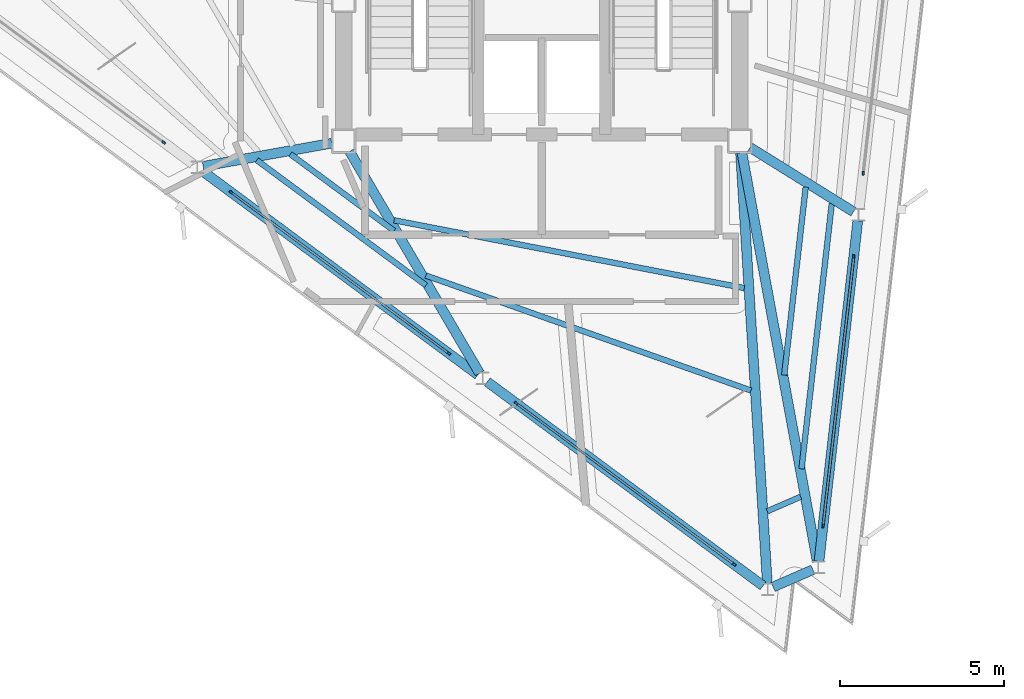
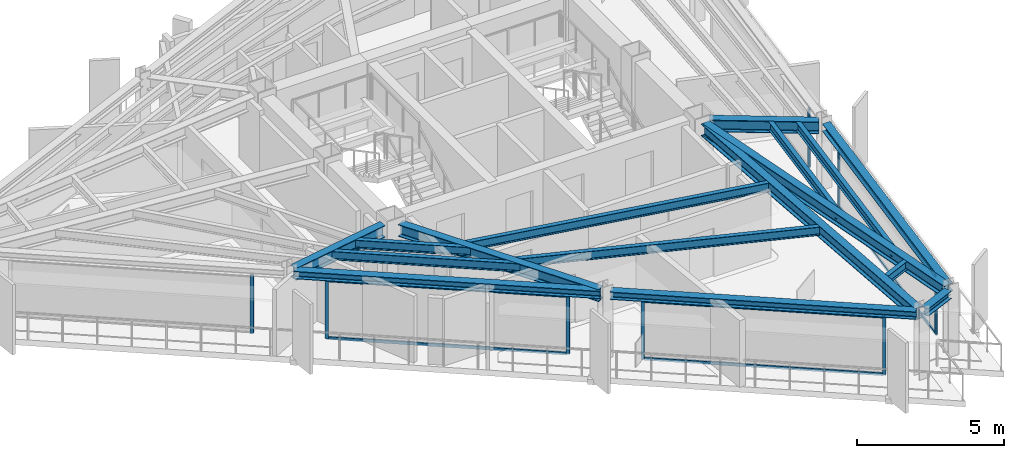
# One storey, part 2 of 10: 16 beams, 14 members, 5 elements without a shape of their own.
"""IFC4 building model written with IfcOpenShell, lengths in metres."""

from ifc_helpers import new_model, si_unit, direction, frame, origin, origin_2d, place, context, subcontext, project, spatial, rectangle, i_section, extrude, material, layer, layer_set, material_profile, profile_set, type_object, element, aggregate, save


model = new_model("IFC4")

# Units and contexts
model_context = context("Model", 3, precision=1e-05, world=origin(), true_north=direction((0.0, 1.0)))
body_context = subcontext(model_context, "Body", "Model", "MODEL_VIEW")
ifc_project = project(units=[si_unit("LENGTHUNIT", "METRE"), si_unit("AREAUNIT", "SQUARE_METRE"), si_unit("VOLUMEUNIT", "CUBIC_METRE"), si_unit("PLANEANGLEUNIT", "RADIAN"), si_unit("MASSUNIT", "GRAM", prefix="KILO")], contexts=[model_context])

# Site, building, storey
site_placement = place(None, origin())
site = spatial("IfcSite", under=ifc_project, at=site_placement, CompositionType="ELEMENT")
building_placement = place(site_placement, origin())
building = spatial("IfcBuilding", under=site, at=building_placement, Name="Rocaltana Carrier Exchange", CompositionType="ELEMENT")
storey_placement = place(building_placement, frame((0.0, 0.0, 224.0)))
storey = spatial("IfcBuildingStorey", under=building, at=storey_placement, Name="L71", CompositionType="ELEMENT", Elevation=224.0)

# Curtain wall, members
ifc_material_1 = material(Name="Aluminium 6063-T6", Category="aluminium")
ifc_layer = layer(ifc_material_1, 0.1201171875)
ifc_layer_set = layer_set([ifc_layer], Name="Aluminium 6063-T6")
curtain_wall_type = type_object("IfcCurtainWallType", Name="High-Altitude Thermal Curtain Wall CW-05", PredefinedType="NOTDEFINED", material=ifc_layer_set)
curtain_wall_1_placement = place(storey_placement, origin())
curtain_wall_1 = element("IfcCurtainWall", 1, at=curtain_wall_1_placement, inside=storey, type_object=curtain_wall_type, Name="L71 CW-05 Run CW-L71-F1S1", PredefinedType="NOTDEFINED")
ifc_material_2 = material(Name="Aluminium 6063-T6", Category="aluminium")
ifc_material_profile_1 = material_profile(ifc_material_2, rectangle(XDim=0.06005859375, YDim=0.1201171875, at=origin_2d()), Name="AL-60X120")
ifc_profile_set_1 = profile_set([ifc_material_profile_1], Name="Aluminium 6063-T6")
member_type_1 = type_object("IfcMemberType", Name="CW-05 Mullion AL-60X120", PredefinedType="MULLION", material=ifc_profile_set_1)
member_1_placement = place(storey_placement, frame((8.593505859375, -16.0458984375, 0.0), z_axis=(0.0, 0.0, 1.0), x_axis=(-0.993571216652, 0.113208822277, 0.0)))
member_1 = element("IfcMember", 2, at=member_1_placement, type_object=member_type_1, Name="CW-05 mullion 1", PredefinedType="MULLION", context=body_context, shape_type="SweptSolid", body=[
    extrude(rectangle(XDim=0.06005859375, YDim=0.1201171875, at=origin_2d()), origin(), (0.0, 0.0, 1.0), 2.447998046875),
])
member_2_placement = place(storey_placement, frame((9.530029296875, -7.825927734375, 0.0), z_axis=(0.0, 0.0, 1.0), x_axis=(-0.993571216652, 0.113208822277, 0.0)))
member_2 = element("IfcMember", 3, at=member_2_placement, type_object=member_type_1, Name="CW-05 mullion 2", PredefinedType="MULLION", context=body_context, shape_type="SweptSolid", body=[
    extrude(rectangle(XDim=0.06005859375, YDim=0.1201171875, at=origin_2d()), origin(), (0.0, 0.0, 1.0), 2.447998046875),
])

# Curtain wall, member
curtain_wall_2_placement = place(storey_placement, origin())
curtain_wall_2 = element("IfcCurtainWall", 4, at=curtain_wall_2_placement, inside=storey, type_object=curtain_wall_type, Name="L71 CW-05 Run CW-L71-F1S2", PredefinedType="NOTDEFINED")
member_3_placement = place(storey_placement, frame((9.81982421875, -5.2822265625, 0.0), z_axis=(0.0, 0.0, 1.0), x_axis=(-0.993571216652, 0.113208822277, 0.0)))
member_3 = element("IfcMember", 5, at=member_3_placement, type_object=member_type_1, Name="CW-05 mullion 1", PredefinedType="MULLION", context=body_context, shape_type="SweptSolid", body=[
    extrude(rectangle(XDim=0.06005859375, YDim=0.1201171875, at=origin_2d()), origin(), (0.0, 0.0, 1.0), 2.447998046875),
])
aggregate(curtain_wall_2, [member_3])

curtain_wall_3_placement = place(storey_placement, origin())
curtain_wall_3 = element("IfcCurtainWall", 6, at=curtain_wall_3_placement, inside=storey, type_object=curtain_wall_type, Name="L71 CW-05 Run CW-L71-F3S1", PredefinedType="NOTDEFINED")
member_4_placement = place(storey_placement, frame((-11.54248046875, -4.340576171875, 0.0), z_axis=(0.0, 0.0, 1.0), x_axis=(0.594826566974, 0.803854063386, 0.0)))
member_4 = element("IfcMember", 7, at=member_4_placement, type_object=member_type_1, Name="CW-05 mullion 2", PredefinedType="MULLION", context=body_context, shape_type="SweptSolid", body=[
    extrude(rectangle(XDim=0.06005859375, YDim=0.1201171875, at=origin_2d()), origin(), (0.0, 0.0, 1.0), 2.447998046875),
])
aggregate(curtain_wall_3, [member_4])

# Curtain wall, members
curtain_wall_4_placement = place(storey_placement, origin())
curtain_wall_4 = element("IfcCurtainWall", 8, at=curtain_wall_4_placement, inside=storey, type_object=curtain_wall_type, Name="L71 CW-05 Run CW-L71-F3S2", PredefinedType="NOTDEFINED")
member_5_placement = place(storey_placement, frame((-9.484619140625, -5.863037109375, 0.0), z_axis=(0.0, 0.0, 1.0), x_axis=(0.594820829179, 0.803858309141, 0.0)))
member_5 = element("IfcMember", 9, at=member_5_placement, type_object=member_type_1, Name="CW-05 mullion 1", PredefinedType="MULLION", context=body_context, shape_type="SweptSolid", body=[
    extrude(rectangle(XDim=0.06005859375, YDim=0.1201171875, at=origin_2d()), origin(), (0.0, 0.0, 1.0), 2.447998046875),
])
member_6_placement = place(storey_placement, frame((-2.833984375, -10.784423828125, 0.0), z_axis=(0.0, 0.0, 1.0), x_axis=(0.594820829179, 0.803858309141, 0.0)))
member_6 = element("IfcMember", 10, at=member_6_placement, type_object=member_type_1, Name="CW-05 mullion 2", PredefinedType="MULLION", context=body_context, shape_type="SweptSolid", body=[
    extrude(rectangle(XDim=0.06005859375, YDim=0.1201171875, at=origin_2d()), origin(), (0.0, 0.0, 1.0), 2.447998046875),
])

curtain_wall_5_placement = place(storey_placement, origin())
curtain_wall_5 = element("IfcCurtainWall", 11, at=curtain_wall_5_placement, inside=storey, type_object=curtain_wall_type, Name="L71 CW-05 Run CW-L71-F3S3", PredefinedType="NOTDEFINED")
member_7_placement = place(storey_placement, frame((-0.776123046875, -12.30712890625, 0.0), z_axis=(0.0, 0.0, 1.0), x_axis=(0.594826566974, 0.803854063386, 0.0)))
member_7 = element("IfcMember", 12, at=member_7_placement, type_object=member_type_1, Name="CW-05 mullion 1", PredefinedType="MULLION", context=body_context, shape_type="SweptSolid", body=[
    extrude(rectangle(XDim=0.06005859375, YDim=0.1201171875, at=origin_2d()), origin(), (0.0, 0.0, 1.0), 2.447998046875),
])
member_8_placement = place(storey_placement, frame((5.87451171875, -17.228271484375, 0.0), z_axis=(0.0, 0.0, 1.0), x_axis=(0.594826566974, 0.803854063386, 0.0)))
member_8 = element("IfcMember", 13, at=member_8_placement, type_object=member_type_1, Name="CW-05 mullion 2", PredefinedType="MULLION", context=body_context, shape_type="SweptSolid", body=[
    extrude(rectangle(XDim=0.06005859375, YDim=0.1201171875, at=origin_2d()), origin(), (0.0, 0.0, 1.0), 2.447998046875),
])

# Member
ifc_material_3 = material(Name="Aluminium 6063-T6", Category="aluminium")
ifc_material_profile_2 = material_profile(ifc_material_3, rectangle(XDim=0.06005859375, YDim=0.1201171875, at=origin_2d()), Name="AL-60X120")
ifc_profile_set_2 = profile_set([ifc_material_profile_2], Name="Aluminium 6063-T6")
member_type_2 = type_object("IfcMemberType", Name="CW-05 Transom AL-60X120", PredefinedType="USERDEFINED", material=ifc_profile_set_2)
member_9_placement = place(storey_placement, frame((8.596923828125, -16.01611328125, 0.030029296875), z_axis=(0.113194477683, 0.993572850989, 0.0), x_axis=(-0.993572850989, 0.113194477683, 0.0)))
member_9 = element("IfcMember", 14, at=member_9_placement, type_object=member_type_2, Name="CW-05 transom 1.1", ObjectType="TRANSOM", PredefinedType="USERDEFINED", context=body_context, shape_type="SweptSolid", body=[
    extrude(rectangle(XDim=0.06005859375, YDim=0.1201171875, at=origin_2d()), origin(), (0.0, 0.0, 1.0), 8.213134765625),
])

member_10_placement = place(storey_placement, frame((8.596923828125, -16.01611328125, 2.41796875), z_axis=(0.113194477683, 0.993572850989, 0.0), x_axis=(-0.993572850989, 0.113194477683, 0.0)))
member_10 = element("IfcMember", 15, at=member_10_placement, type_object=member_type_2, Name="CW-05 transom 1.2", ObjectType="TRANSOM", PredefinedType="USERDEFINED", context=body_context, shape_type="SweptSolid", body=[
    extrude(rectangle(XDim=0.06005859375, YDim=0.1201171875, at=origin_2d()), origin(), (0.0, 0.0, 1.0), 8.213134765625),
])

aggregate(curtain_wall_1, [member_1, member_2, member_9, member_10])

member_11_placement = place(storey_placement, frame((-9.46044921875, -5.881103515625, 0.030029296875), z_axis=(0.80386407087, -0.59481304253, 0.0), x_axis=(0.59481304253, 0.80386407087, 0.0)))
member_11 = element("IfcMember", 16, at=member_11_placement, type_object=member_type_2, Name="CW-05 transom 1.1", ObjectType="TRANSOM", PredefinedType="USERDEFINED", context=body_context, shape_type="SweptSolid", body=[
    extrude(rectangle(XDim=0.06005859375, YDim=0.1201171875, at=origin_2d()), origin(), (0.0, 0.0, 1.0), 8.213623046875),
])

member_12_placement = place(storey_placement, frame((-9.46044921875, -5.881103515625, 2.41796875), z_axis=(0.80386407087, -0.59481304253, 0.0), x_axis=(0.59481304253, 0.80386407087, 0.0)))
member_12 = element("IfcMember", 17, at=member_12_placement, type_object=member_type_2, Name="CW-05 transom 1.2", ObjectType="TRANSOM", PredefinedType="USERDEFINED", context=body_context, shape_type="SweptSolid", body=[
    extrude(rectangle(XDim=0.06005859375, YDim=0.1201171875, at=origin_2d()), origin(), (0.0, 0.0, 1.0), 8.213623046875),
])

aggregate(curtain_wall_4, [member_5, member_6, member_11, member_12])

member_13_placement = place(storey_placement, frame((-0.751953125, -12.324951171875, 0.030029296875), z_axis=(0.803853553959, -0.594827255418, 0.0), x_axis=(0.594827255418, 0.803853553959, 0.0)))
member_13 = element("IfcMember", 18, at=member_13_placement, type_object=member_type_2, Name="CW-05 transom 1.1", ObjectType="TRANSOM", PredefinedType="USERDEFINED", context=body_context, shape_type="SweptSolid", body=[
    extrude(rectangle(XDim=0.06005859375, YDim=0.1201171875, at=origin_2d()), origin(), (0.0, 0.0, 1.0), 8.21337890625),
])

member_14_placement = place(storey_placement, frame((-0.751953125, -12.324951171875, 2.41796875), z_axis=(0.803853553959, -0.594827255418, 0.0), x_axis=(0.594827255418, 0.803853553959, 0.0)))
member_14 = element("IfcMember", 19, at=member_14_placement, type_object=member_type_2, Name="CW-05 transom 1.2", ObjectType="TRANSOM", PredefinedType="USERDEFINED", context=body_context, shape_type="SweptSolid", body=[
    extrude(rectangle(XDim=0.06005859375, YDim=0.1201171875, at=origin_2d()), origin(), (0.0, 0.0, 1.0), 8.21337890625),
])

aggregate(curtain_wall_5, [member_7, member_8, member_13, member_14])

# Beams
ifc_material_4 = material(Name="Steel S355", Category="steel")
ifc_material_profile_3 = material_profile(ifc_material_4, i_section(OverallWidth=0.172119140625, OverallDepth=0.35791015625, WebThickness=0.0078125, FlangeThickness=0.01318359375, FilletRadius=0.011962890625, at=origin_2d()), Name="W14X38")
ifc_profile_set_3 = profile_set([ifc_material_profile_3], Name="Steel S355")
beam_type_1 = type_object("IfcBeamType", Name="Floor Joist W14X38", PredefinedType="JOIST", material=ifc_profile_set_3)
beam_1_placement = place(storey_placement, frame((7.409423828125, -11.44677734375, 2.618896484375), z_axis=(0.113227249781, 0.993569116824, 0.0), x_axis=(-0.993569116824, 0.113227249781, 0.0)))
element("IfcBeam", 20, at=beam_1_placement, inside=storey, type_object=beam_type_1, Name="FJ-L71-01-2", PredefinedType="JOIST", context=body_context, shape_type="SweptSolid", body=[
    extrude(i_section(OverallWidth=0.172119140625, OverallDepth=0.35791015625, WebThickness=0.0078125, FlangeThickness=0.01318359375, FilletRadius=0.011962890625, at=origin_2d()), origin(), (0.0, 0.0, 1.0), 5.778564453125),
])
beam_2_placement = place(storey_placement, frame((7.937255859375, -14.310791015625, 2.618896484375), z_axis=(0.113185523322, 0.993573871089, 0.0), x_axis=(-0.993573871089, 0.113185523322, 0.0)))
element("IfcBeam", 21, at=beam_2_placement, inside=storey, type_object=beam_type_1, Name="FJ-L71-01-3", PredefinedType="JOIST", context=body_context, shape_type="SweptSolid", body=[
    extrude(i_section(OverallWidth=0.172119140625, OverallDepth=0.35791015625, WebThickness=0.0078125, FlangeThickness=0.01318359375, FilletRadius=0.011962890625, at=origin_2d()), origin(), (0.0, 0.0, 1.0), 8.162109375),
])
beam_3_placement = place(storey_placement, frame((-7.675048828125, -4.698486328125, 2.618896484375), z_axis=(0.803860282808, -0.594818161899, 0.0), x_axis=(0.594818161899, 0.803860282808, 0.0)))
element("IfcBeam", 22, at=beam_3_placement, inside=storey, type_object=beam_type_1, Name="FJ-L71-10-1", PredefinedType="JOIST", context=body_context, shape_type="SweptSolid", body=[
    extrude(i_section(OverallWidth=0.172119140625, OverallDepth=0.35791015625, WebThickness=0.0078125, FlangeThickness=0.01318359375, FilletRadius=0.011962890625, at=origin_2d()), origin(), (0.0, 0.0, 1.0), 3.93701171875),
])
beam_4_placement = place(storey_placement, frame((-8.70166015625, -4.8828125, 2.618896484375), z_axis=(0.803852431251, -0.59482877265, 0.0), x_axis=(0.59482877265, 0.803852431251, 0.0)))
element("IfcBeam", 23, at=beam_4_placement, inside=storey, type_object=beam_type_1, Name="FJ-L71-10-2", PredefinedType="JOIST", context=body_context, shape_type="SweptSolid", body=[
    extrude(i_section(OverallWidth=0.172119140625, OverallDepth=0.35791015625, WebThickness=0.0078125, FlangeThickness=0.01318359375, FilletRadius=0.011962890625, at=origin_2d()), origin(), (0.0, 0.0, 1.0), 6.4287109375),
])
beam_5_placement = place(storey_placement, frame((-4.5078125, -6.718505859375, 2.618896484375), z_axis=(0.981759350147, -0.190127794914, 0.0), x_axis=(0.190127794914, 0.981759350147, 0.0)))
element("IfcBeam", 24, at=beam_5_placement, inside=storey, type_object=beam_type_1, Name="FJ-L71-11-1", PredefinedType="JOIST", context=body_context, shape_type="SweptSolid", body=[
    extrude(i_section(OverallWidth=0.172119140625, OverallDepth=0.35791015625, WebThickness=0.0078125, FlangeThickness=0.01318359375, FilletRadius=0.011962890625, at=origin_2d()), origin(), (0.0, 0.0, 1.0), 10.896728515625),
])
beam_6_placement = place(storey_placement, frame((-3.537109375, -8.405517578125, 2.618896484375), z_axis=(0.942743579006, -0.333518431639, 0.0), x_axis=(0.333518431639, 0.942743579006, 0.0)))
element("IfcBeam", 25, at=beam_6_placement, inside=storey, type_object=beam_type_1, Name="FJ-L71-11-2", PredefinedType="JOIST", context=body_context, shape_type="SweptSolid", body=[
    extrude(i_section(OverallWidth=0.172119140625, OverallDepth=0.35791015625, WebThickness=0.0078125, FlangeThickness=0.01318359375, FilletRadius=0.011962890625, at=origin_2d()), origin(), (0.0, 0.0, 1.0), 10.5322265625),
])
beam_7_placement = place(storey_placement, frame((6.890380859375, -15.60498046875, 2.618896484375), z_axis=(0.917028106869, 0.398822581122, 0.0), x_axis=(-0.398822581122, 0.917028106869, 0.0)))
element("IfcBeam", 26, at=beam_7_placement, inside=storey, type_object=beam_type_1, Name="FJ-L71-12-3", PredefinedType="JOIST", context=body_context, shape_type="SweptSolid", body=[
    extrude(i_section(OverallWidth=0.172119140625, OverallDepth=0.35791015625, WebThickness=0.0078125, FlangeThickness=0.01318359375, FilletRadius=0.011962890625, at=origin_2d()), origin(), (0.0, 0.0, 1.0), 1.1103515625),
])
ifc_material_5 = material(Name="Steel S355", Category="steel")
ifc_material_profile_4 = material_profile(ifc_material_5, i_section(OverallWidth=0.300048828125, OverallDepth=0.320068359375, WebThickness=0.011474609375, FlangeThickness=0.0205078125, FilletRadius=0.027099609375, at=origin_2d()), Name="HEB320")
ifc_profile_set_4 = profile_set([ifc_material_profile_4], Name="Steel S355")
beam_type_2 = type_object("IfcBeamType", Name="Spandrel Edge Beam HEB320", PredefinedType="SPANDREL", material=ifc_profile_set_4)
for number, where, z_axis, x_axis, name in (
    (27, (8.468994140625, -17.139404296875, 2.637939453125), (0.113209353353, 0.99357115614, 0.0), (-0.99357115614, 0.113209353353, 0.0), "SP-L71-01"),
    (28, (-10.369140625, -5.20849609375, 2.637939453125), (0.803854381492, -0.594826137082, 0.0), (0.594826137082, 0.803854381492, 0.0), "SP-L71-10"),
):
    element("IfcBeam", number, at=place(storey_placement, frame(where, z_axis=z_axis, x_axis=x_axis)), inside=storey, type_object=beam_type_2, Name=name, PredefinedType="SPANDREL", context=body_context, shape_type="SweptSolid", body=[
        extrude(i_section(OverallWidth=0.300048828125, OverallDepth=0.320068359375, WebThickness=0.011474609375, FlangeThickness=0.0205078125, FilletRadius=0.027099609375, at=origin_2d()), origin(), (0.0, 0.0, 1.0), 10.474365234375),
    ])
beam_8_placement = place(storey_placement, frame((-1.66064453125, -11.652587890625, 2.637939453125), z_axis=(0.803857279617, -0.594822220505, 0.0), x_axis=(0.594822220505, 0.803857279617, 0.0)))
element("IfcBeam", 29, at=beam_8_placement, inside=storey, type_object=beam_type_2, Name="SP-L71-11", PredefinedType="SPANDREL", context=body_context, shape_type="SweptSolid", body=[
    extrude(i_section(OverallWidth=0.300048828125, OverallDepth=0.320068359375, WebThickness=0.011474609375, FlangeThickness=0.0205078125, FilletRadius=0.027099609375, at=origin_2d()), origin(), (0.0, 0.0, 1.0), 10.47412109375),
])
beam_9_placement = place(storey_placement, frame((7.068115234375, -17.91796875, 2.637939453125), z_axis=(0.917084694232, 0.398692442372, 0.0), x_axis=(-0.398692442372, 0.917084694232, 0.0)))
element("IfcBeam", 30, at=beam_9_placement, inside=storey, type_object=beam_type_2, Name="SP-L71-12", PredefinedType="SPANDREL", context=body_context, shape_type="SweptSolid", body=[
    extrude(i_section(OverallWidth=0.300048828125, OverallDepth=0.320068359375, WebThickness=0.011474609375, FlangeThickness=0.0205078125, FilletRadius=0.027099609375, at=origin_2d()), origin(), (0.0, 0.0, 1.0), 1.32568359375),
])
ifc_material_6 = material(Name="Steel S355", Category="steel")
ifc_material_profile_5 = material_profile(ifc_material_6, i_section(OverallWidth=0.300048828125, OverallDepth=0.5, WebThickness=0.014404296875, FlangeThickness=0.028076171875, FilletRadius=0.027099609375, at=origin_2d()), Name="HEB500")
ifc_profile_set_5 = profile_set([ifc_material_profile_5], Name="Steel S355")
beam_type_3 = type_object("IfcBeamType", Name="Upper Radial Girder HEB500", PredefinedType="BEAM", material=ifc_profile_set_5)
beam_10_placement = place(storey_placement, frame((6.116455078125, -4.660888671875, 2.548095703125), z_axis=(0.181206008734, -0.983445159833, 0.0), x_axis=(0.983445159833, 0.181206008734, 0.0)))
element("IfcBeam", 31, at=beam_10_placement, inside=storey, type_object=beam_type_3, Name="RG-L71-01", PredefinedType="BEAM", context=body_context, shape_type="SweptSolid", body=[
    extrude(i_section(OverallWidth=0.300048828125, OverallDepth=0.5, WebThickness=0.014404296875, FlangeThickness=0.028076171875, FilletRadius=0.027099609375, at=origin_2d()), origin(), (0.0, 0.0, 1.0), 12.6904296875),
])
beam_11_placement = place(storey_placement, frame((6.36181640625, -4.493896484375, 2.548095703125), z_axis=(0.849230475693, -0.52802234721, 0.0), x_axis=(0.52802234721, 0.849230475693, 0.0)))
element("IfcBeam", 32, at=beam_11_placement, inside=storey, type_object=beam_type_3, Name="RG-L71-02", PredefinedType="BEAM", context=body_context, shape_type="SweptSolid", body=[
    extrude(i_section(OverallWidth=0.300048828125, OverallDepth=0.5, WebThickness=0.014404296875, FlangeThickness=0.028076171875, FilletRadius=0.027099609375, at=origin_2d()), origin(), (0.0, 0.0, 1.0), 3.72216796875),
])
beam_12_placement = place(storey_placement, frame((-6.4111328125, -4.364990234375, 2.548095703125), z_axis=(-0.984251551431, -0.176773537347, 0.0), x_axis=(0.176773537347, -0.984251551431, 0.0)))
element("IfcBeam", 33, at=beam_12_placement, inside=storey, type_object=beam_type_3, Name="RG-L71-10", PredefinedType="BEAM", context=body_context, shape_type="SweptSolid", body=[
    extrude(i_section(OverallWidth=0.300048828125, OverallDepth=0.5, WebThickness=0.014404296875, FlangeThickness=0.028076171875, FilletRadius=0.027099609375, at=origin_2d()), origin(), (0.0, 0.0, 1.0), 3.988525390625),
])
beam_13_placement = place(storey_placement, frame((-5.864501953125, -4.61669921875, 2.548095703125), z_axis=(0.505500021145, -0.86282659244, 0.0), x_axis=(0.86282659244, 0.505500021145, 0.0)))
element("IfcBeam", 34, at=beam_13_placement, inside=storey, type_object=beam_type_3, Name="RG-L71-11", PredefinedType="BEAM", context=body_context, shape_type="SweptSolid", body=[
    extrude(i_section(OverallWidth=0.300048828125, OverallDepth=0.5, WebThickness=0.014404296875, FlangeThickness=0.028076171875, FilletRadius=0.027099609375, at=origin_2d()), origin(), (0.0, 0.0, 1.0), 7.85107421875),
])
beam_14_placement = place(storey_placement, frame((6.07275390625, -4.666259765625, 2.548095703125), z_axis=(0.062214398445, -0.998062807957, 0.0), x_axis=(0.998062807957, 0.062214398445, 0.0)))
element("IfcBeam", 35, at=beam_14_placement, inside=storey, type_object=beam_type_3, Name="RG-L71-12", PredefinedType="BEAM", context=body_context, shape_type="SweptSolid", body=[
    extrude(i_section(OverallWidth=0.300048828125, OverallDepth=0.5, WebThickness=0.014404296875, FlangeThickness=0.028076171875, FilletRadius=0.027099609375, at=origin_2d()), origin(), (0.0, 0.0, 1.0), 13.16943359375),
])

save(model, "model.ifc")
